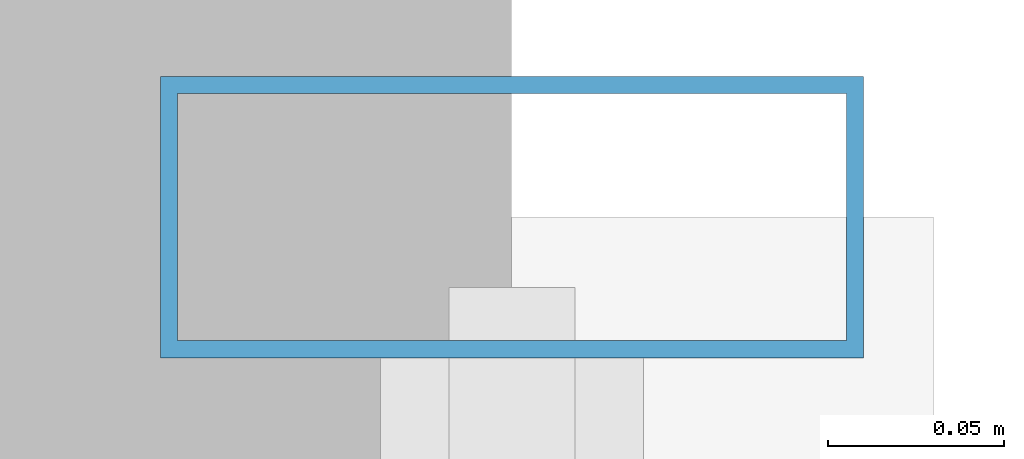
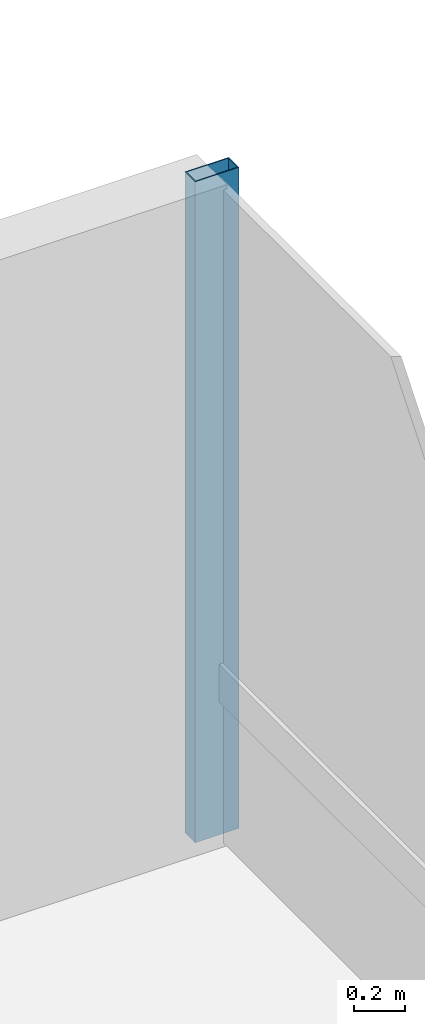
# One storey, part 26 of 35: 1 member, 1 element without a shape of its own.
"""IFC4 building model written with IfcOpenShell, lengths in metres."""

import ifcopenshell
import ifcopenshell.guid

model = None  # the IFC model being written
_history = None  # IfcOwnerHistory: only IFC2X3 demands one
_inside = {}  # id of a spatial element -> (the spatial element, [elements in it])
_under = {}  # id of a project, library or spatial element -> (it, [spatial elements below it])
_declared = {}  # id of a project -> (the project, [libraries it declares])
_typed = {}  # id of a type object -> (the type object, [elements of that type])
_made_of = {}  # id of a material, layer set ... -> (it, [elements and type objects made of it])


def new_model(schema):
    """Start an empty IFC model of exactly this schema.

    Asked for "IFC4X3", IfcOpenShell would pick the latest addendum, in which some entities
    have other attributes; the version numbers below select the first issue.
    IFC2X3 requires an IfcOwnerHistory on every rooted entity: one is made here for all.
    """
    global model, _history
    if schema == "IFC4X3":
        model = ifcopenshell.file(schema_version=(4, 3, 0, 0))
    else:
        model = ifcopenshell.file(schema=schema)
    _inside.clear()
    _under.clear()
    _declared.clear()
    _typed.clear()
    _made_of.clear()
    _history = None
    if model.schema == "IFC2X3":
        org = make("IfcOrganization", Name="unknown")
        user = make(
            "IfcPersonAndOrganization",
            ThePerson=make("IfcPerson", FamilyName="unknown"),
            TheOrganization=org,
        )
        app = make(
            "IfcApplication",
            ApplicationDeveloper=org,
            Version="unknown",
            ApplicationFullName="unknown",
            ApplicationIdentifier="unknown",
        )
        _history = make(
            "IfcOwnerHistory",
            OwningUser=user,
            OwningApplication=app,
            ChangeAction="ADDED",
            CreationDate=0,
        )
    return model


def make(cls, **values):
    """One entity of the class cls with the attributes given. An attribute that is None is left unset."""
    return model.create_entity(
        cls, **{name: value for name, value in values.items() if value is not None}
    )


def rooted(cls, **values):
    """An entity with a GlobalId (a new one), such as an element, a storey or a relation."""
    return make(cls, GlobalId=ifcopenshell.guid.new(), OwnerHistory=_history, **values)


def si_unit(unit_type, name, prefix=None):
    """IfcSIUnit, for example si_unit("LENGTHUNIT", "METRE", prefix="MILLI")."""
    return make("IfcSIUnit", UnitType=unit_type, Prefix=prefix, Name=name)


def assignment(units):
    """IfcUnitAssignment: the units of a project."""
    return None if units is None else make("IfcUnitAssignment", Units=units)


def point(xyz):
    """IfcCartesianPoint."""
    return None if xyz is None else make("IfcCartesianPoint", Coordinates=xyz)


def direction(xyz):
    """IfcDirection."""
    return None if xyz is None else make("IfcDirection", DirectionRatios=xyz)


def frame(location, z_axis=None, x_axis=None):
    """IfcAxis2Placement3D, a coordinate frame: its origin and axes. An axis left out is left unset."""
    return make(
        "IfcAxis2Placement3D",
        Location=point(location),
        Axis=direction(z_axis),
        RefDirection=direction(x_axis),
    )


def frame_2d(location, x_axis=None):
    """IfcAxis2Placement2D, a coordinate frame in the plane: its origin and x axis."""
    return make(
        "IfcAxis2Placement2D", Location=point(location), RefDirection=direction(x_axis)
    )


def origin():
    """The frame at (0, 0, 0) with its axes left unset."""
    return frame((0.0, 0.0, 0.0))


def origin_2d():
    """The frame at (0, 0) in the plane with its x axis left unset."""
    return frame_2d((0.0, 0.0))


def place(relative_to, where):
    """IfcLocalPlacement: puts the frame where relative to a parent placement (None: the world)."""
    return make(
        "IfcLocalPlacement", PlacementRelTo=relative_to, RelativePlacement=where
    )


def context(
    kind, dimensions, precision=None, world=None, true_north=None, identifier=None
):
    """IfcGeometricRepresentationContext, for example the 3D "Model" context."""
    return make(
        "IfcGeometricRepresentationContext",
        ContextIdentifier=identifier,
        ContextType=kind,
        CoordinateSpaceDimension=dimensions,
        Precision=precision,
        WorldCoordinateSystem=world,
        TrueNorth=true_north,
    )


def subcontext(parent, identifier, kind, view, scale=None):
    """IfcGeometricRepresentationSubContext, for example "Body" below "Model"."""
    return make(
        "IfcGeometricRepresentationSubContext",
        ContextIdentifier=identifier,
        ContextType=kind,
        ParentContext=parent,
        TargetScale=scale,
        TargetView=view,
    )


def project(units=None, contexts=None):
    """IfcProject with its units and contexts."""
    return rooted(
        "IfcProject",
        Name="project",
        RepresentationContexts=contexts,
        UnitsInContext=assignment(units),
    )


def spatial(cls, under=None, at=None, **own):
    """A site, building, storey or space (cls), placed at a placement, below another one or the project."""
    s = rooted(cls, ObjectPlacement=at, **own)
    if under is not None:
        _under.setdefault(under.id(), (under, []))[1].append(s)
    return s


def profile(cls, at=None, kind="AREA", **sizes):
    """A parametric profile (cls). Its sizes go by their IFC names, for example OverallWidth=200.0."""
    return make(cls, ProfileType=kind, Position=at, **sizes)


def hollow_rectangle(**sizes):
    """IfcRectangleHollowProfileDef."""
    return profile("IfcRectangleHollowProfileDef", **sizes)


def extrude(swept, where, along, depth):
    """IfcExtrudedAreaSolid: the profile swept, set in the frame where, extruded along a direction by depth."""
    return make(
        "IfcExtrudedAreaSolid",
        SweptArea=swept,
        Position=where,
        ExtrudedDirection=direction(along),
        Depth=depth,
    )


def shape(context_of_items, identifier, shape_type, items):
    """IfcShapeRepresentation: the items that make up one representation, for example the "Body"."""
    return make(
        "IfcShapeRepresentation",
        ContextOfItems=context_of_items,
        RepresentationIdentifier=identifier,
        RepresentationType=shape_type,
        Items=items,
    )


def material(Name=None, Category=None):
    """IfcMaterial."""
    return make("IfcMaterial", Name=Name, Category=Category)


def layer(
    of_material, thickness, ventilated=None, Name=None, Category=None, Priority=None
):
    """IfcMaterialLayer: one layer of a wall or slab, of a material (None: an air gap)."""
    return make(
        "IfcMaterialLayer",
        Material=of_material,
        LayerThickness=thickness,
        IsVentilated=ventilated,
        Name=Name,
        Category=Category,
        Priority=Priority,
    )


def layer_set(layers, Name=None):
    """IfcMaterialLayerSet."""
    return make("IfcMaterialLayerSet", MaterialLayers=layers, LayerSetName=Name)


def material_profile(
    of_material, cross_section, Name=None, Category=None, Priority=None
):
    """IfcMaterialProfile: a cross section and its material."""
    return make(
        "IfcMaterialProfile",
        Name=Name,
        Material=of_material,
        Profile=cross_section,
        Priority=Priority,
        Category=Category,
    )


def profile_set(profiles, Name=None, composite=None):
    """IfcMaterialProfileSet."""
    return make(
        "IfcMaterialProfileSet",
        Name=Name,
        MaterialProfiles=profiles,
        CompositeProfile=composite,
    )


def made_of(thing, what):
    """Note that an element or type object is made of a material, layer set ...; save() writes the relation."""
    if what is not None:
        _made_of.setdefault(what.id(), (what, []))[1].append(thing)
    return thing


def type_object(cls, material=None, **own):
    """A type object (cls), such as IfcWallType, which elements share."""
    return made_of(rooted(cls, **own), material)


def element(
    cls,
    number,
    at=None,
    inside=None,
    cuts=None,
    type_object=None,
    material=None,
    context=None,
    identifier="Body",
    shape_type=None,
    held_by="IfcProductDefinitionShape",
    body=None,
    shapes=None,
    **own,
):
    """One element of the class cls, such as IfcWall. Its Tag is "e" and its number.

    at: its placement. inside: the storey or other place that contains it. cuts: it is an
    opening in that element (IfcRelVoidsElement). A single representation is given by context,
    identifier, shape_type and body (its items); several are given by shapes. held_by: the class
    of the entity that holds the representations. save() writes the other relations.
    """
    e = rooted(cls, Tag="e%d" % number, ObjectPlacement=at, **own)
    if body is not None:
        shapes = [shape(context, identifier, shape_type, body)]
    if shapes is not None:
        e.Representation = make(held_by, Representations=shapes)
    if inside is not None:
        _inside.setdefault(inside.id(), (inside, []))[1].append(e)
    if cuts is not None:
        rooted(
            "IfcRelVoidsElement", RelatingBuildingElement=cuts, RelatedOpeningElement=e
        )
    if type_object is not None:
        _typed.setdefault(type_object.id(), (type_object, []))[1].append(e)
    return made_of(e, material)


def aggregate(whole, parts):
    """IfcRelAggregates: a whole, such as a stair, and the parts it consists of."""
    return rooted("IfcRelAggregates", RelatingObject=whole, RelatedObjects=parts)


def save(model, path):
    """Write the relations noted so far, then the file.

    IfcRelAggregates (storeys below a building ...), IfcRelContainedInSpatialStructure (elements
    in a storey), IfcRelDefinesByType, IfcRelAssociatesMaterial and IfcRelDeclares: one each for
    every whole, place, type object, material and project.
    """
    for whole, parts in _under.values():
        aggregate(whole, parts)
    for where, things in _inside.values():
        rooted(
            "IfcRelContainedInSpatialStructure",
            RelatedElements=things,
            RelatingStructure=where,
        )
    for kind, things in _typed.values():
        rooted("IfcRelDefinesByType", RelatedObjects=things, RelatingType=kind)
    for what, things in _made_of.values():
        rooted("IfcRelAssociatesMaterial", RelatedObjects=things, RelatingMaterial=what)
    for by, libraries in _declared.values():
        rooted("IfcRelDeclares", RelatingContext=by, RelatedDefinitions=libraries)
    model.write(path)


model = new_model("IFC4")

# Units and contexts
model_context = context("Model", 3, precision=1e-05, world=origin(), true_north=direction((0.0, 1.0)))
body_context = subcontext(model_context, "Body", "Model", "MODEL_VIEW")
ifc_project = project(units=[si_unit("LENGTHUNIT", "METRE"), si_unit("AREAUNIT", "SQUARE_METRE"), si_unit("VOLUMEUNIT", "CUBIC_METRE"), si_unit("PLANEANGLEUNIT", "RADIAN"), si_unit("MASSUNIT", "GRAM", prefix="KILO")], contexts=[model_context])

# Site, building, storey
site_placement = place(None, origin())
site = spatial("IfcSite", under=ifc_project, at=site_placement, CompositionType="ELEMENT")
building_placement = place(site_placement, origin())
building = spatial("IfcBuilding", under=site, at=building_placement, Name="Drelvath Grand Hotel", CompositionType="ELEMENT")
storey_placement = place(building_placement, frame((0.0, 0.0, 137.300048828125)))
storey = spatial("IfcBuildingStorey", under=building, at=storey_placement, Name="L35", CompositionType="ELEMENT", Elevation=137.300048828125)

# Curtain wall, member
ifc_material = material(Name="Champagne Bronze Anodised Aluminium Frame", Category="aluminium")
ifc_layer = layer(ifc_material, 0.199951171875)
ifc_layer_set = layer_set([ifc_layer], Name="Champagne Bronze Anodised Aluminium Frame")
curtain_wall_type = type_object("IfcCurtainWallType", Name="Stick Curtain Wall CW-03 Champagne Bronze Mid-Rise", PredefinedType="NOTDEFINED", material=ifc_layer_set)
curtain_wall_placement = place(storey_placement, origin())
curtain_wall = element("IfcCurtainWall", 1, at=curtain_wall_placement, inside=storey, type_object=curtain_wall_type, Name="L35 CW-03 Curtain Wall CW03-L35-EN3", PredefinedType="NOTDEFINED")
ifc_material_profile = material_profile(ifc_material, hollow_rectangle(XDim=0.080078125, YDim=0.199951171875, WallThickness=0.0048828125, at=origin_2d()), Name="HSS200X80X5")
ifc_profile_set = profile_set([ifc_material_profile], Name="Champagne Bronze Anodised Aluminium Frame")
member_type = type_object("IfcMemberType", Name="Curtain Wall Vertical Mullion CW-03 HSS200X80X5", PredefinedType="MULLION", material=ifc_profile_set)
member_placement = place(storey_placement, frame((22.080078125, 49.5, 0.0), z_axis=(0.0, 0.0, 1.0), x_axis=(0.0, 1.0, 0.0)))
member = element("IfcMember", 2, at=member_placement, type_object=member_type, Name="CW03-L35-EN3 Mullion 1", PredefinedType="MULLION", context=body_context, shape_type="SweptSolid", body=[
    extrude(hollow_rectangle(XDim=0.080078125, YDim=0.199951171875, WallThickness=0.0048828125, at=origin_2d()), origin(), (0.0, 0.0, 1.0), 3.179931640625),
])
aggregate(curtain_wall, [member])

save(model, "model.ifc")
